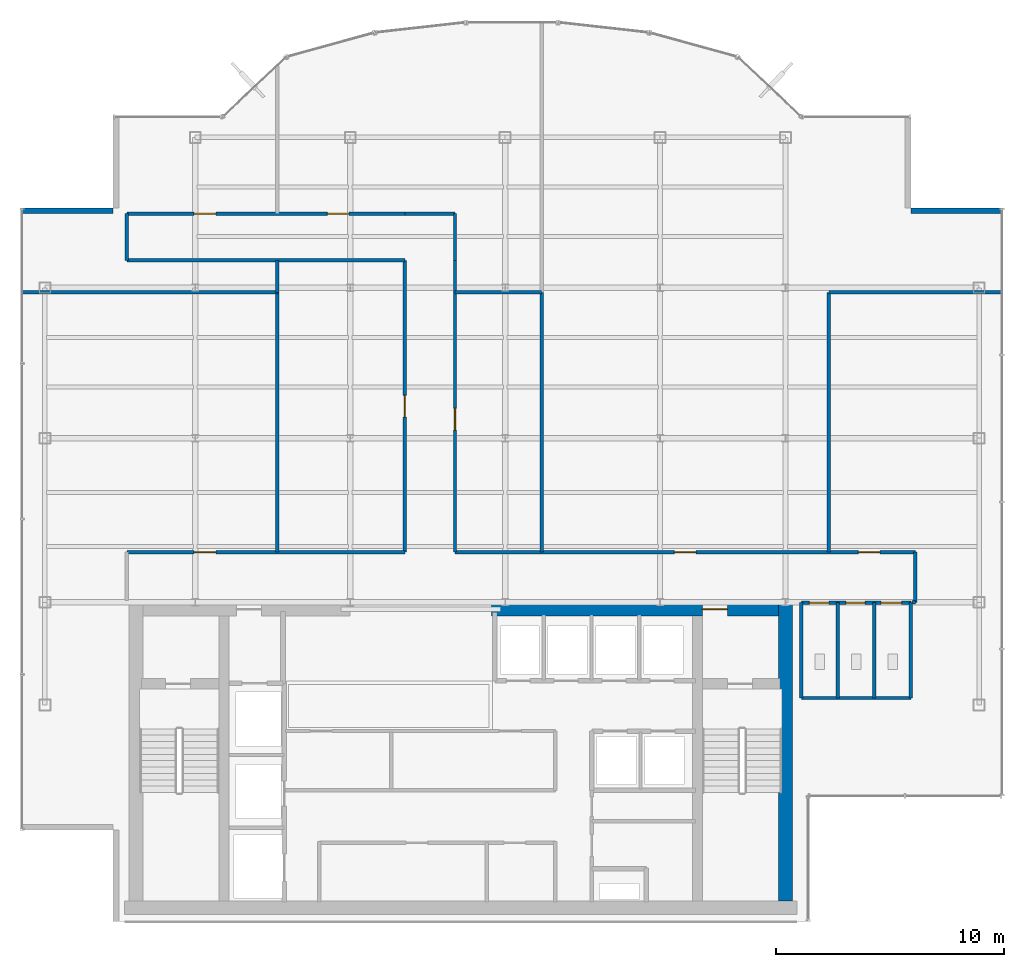
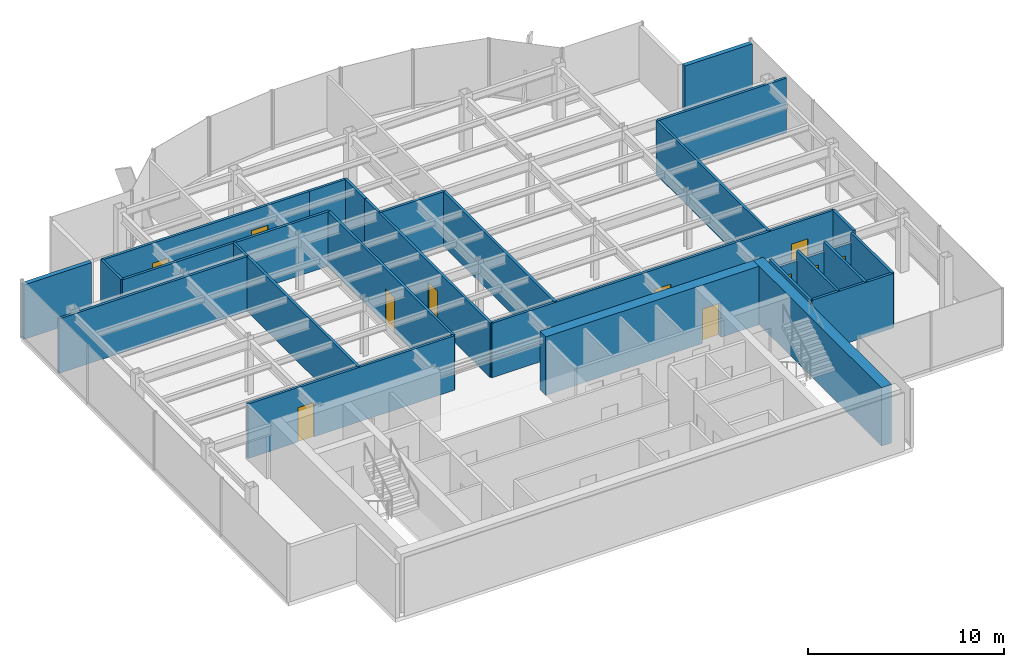
# One storey, part 18 of 22: 28 walls, 11 doors, 11 openings.
"""IFC4 building model written with IfcOpenShell, lengths in metres."""

from ifc_helpers import new_model, si_unit, derived_unit, direction, frame, frame_2d, origin, place, context, subcontext, project, spatial, rectangle, extrude, source, transform, mapped, material, layer, layer_set, type_object, element, fill, save


model = new_model("IFC4")

# Units and contexts
model_context = context("Model", 3, precision=1e-05, world=origin(), true_north=direction((0.0, 1.0)))
body_context = subcontext(model_context, "Body", "Model", "MODEL_VIEW")
ifc_project = project(units=[si_unit("LENGTHUNIT", "METRE"), si_unit("AREAUNIT", "SQUARE_METRE"), si_unit("VOLUMEUNIT", "CUBIC_METRE"), si_unit("PLANEANGLEUNIT", "RADIAN"), si_unit("MASSUNIT", "GRAM", prefix="KILO"), derived_unit("THERMALTRANSMITTANCEUNIT", [(si_unit("POWERUNIT", "WATT"), 1), (si_unit("LENGTHUNIT", "METRE"), -2), (si_unit("THERMODYNAMICTEMPERATUREUNIT", "KELVIN"), -1)])], contexts=[model_context])

# Site, building, storey
site_placement = place(None, origin())
site = spatial("IfcSite", under=ifc_project, at=site_placement, CompositionType="ELEMENT")
building_placement = place(site_placement, origin())
building = spatial("IfcBuilding", under=site, at=building_placement, Name="Skarnbrae Concourse Arena and Tower", CompositionType="ELEMENT")
storey_placement = place(building_placement, frame((0.0, 0.0, 214.14990234375)))
storey = spatial("IfcBuildingStorey", under=building, at=storey_placement, Name="L55", CompositionType="ELEMENT", Elevation=214.14990234375)

# Wall
ifc_material_1 = material(Name="Concrete 50 MPa (C50/60)", Category="concrete")
ifc_layer_1 = layer(ifc_material_1, 0.60009765625)
ifc_layer_set_1 = layer_set([ifc_layer_1], Name="Concrete 50 MPa (C50/60)")
wall_type_1 = type_object("IfcWallType", Name="WALL-CORE-600-C50", PredefinedType="SHEAR", material=ifc_layer_set_1)
shared_shape_1 = source(origin(), body_context, "Body", "SweptSolid", [
    extrude(rectangle(XDim=13.10009765625, YDim=0.60009765625, at=frame_2d((6.550048828125, 0.0))), origin(), (0.0, 0.0, 1.0), 3.650146484375),
])
wall_1_placement = place(storey_placement, frame((33.5, 0.89990234375, 0.0), z_axis=(0.0, 0.0, 1.0), x_axis=(0.0, 1.0, 0.0)))
element("IfcWall", 1, at=wall_1_placement, inside=storey, type_object=wall_type_1, Name="L55 Rear core shear wall CW-E", PredefinedType="SHEAR", context=body_context, shape_type="MappedRepresentation", body=[
    mapped(shared_shape_1, transform((0.0, 0.0, 0.0))),
])

# Wall, opening, door
shared_shape_2 = source(origin(), body_context, "Body", "SweptSolid", [
    extrude(rectangle(XDim=12.599853515625, YDim=0.60009765625, at=frame_2d((6.2998046875, 0.0))), origin(), (0.0, 0.0, 1.0), 3.650146484375),
])
wall_2_placement = place(storey_placement, frame((20.60009765625, 13.699951171875, 0.0), z_axis=(0.0, 0.0, 1.0), x_axis=(1.0, 0.0, 0.0)))
wall_2 = element("IfcWall", 2, at=wall_2_placement, inside=storey, type_object=wall_type_1, Name="L55 Rear core shear wall CW-NE", PredefinedType="SHEAR", context=body_context, shape_type="MappedRepresentation", body=[
    mapped(shared_shape_2, transform((0.0, 0.0, 0.0))),
])
opening_1_placement = place(wall_2_placement, frame((9.25, 0.0, 0.0)))
opening_1 = element("IfcOpeningElement", 3, at=opening_1_placement, cuts=wall_2, Name="Opening DT-03", PredefinedType="OPENING", context=body_context, shape_type="SweptSolid", body=[
    extrude(rectangle(XDim=1.10009765625, YDim=2.14990234375, at=frame_2d((0.550048828125, 1.074951171875))), frame((0.0, 0.31005859375, 0.0), z_axis=(0.0, -1.0, 0.0), x_axis=(1.0, 0.0, 0.0)), (0.0, 0.0, 1.0), 0.6201171875),
])
ifc_material_2 = material(Name="Steel CSA G40.21 350W", Category="steel")
door_type_1 = type_object("IfcDoorType", Name="DOOR-FIRE-1100-90M", OperationType="NOTDEFINED", PredefinedType="DOOR", material=ifc_material_2)
shared_shape_3 = source(origin(), body_context, "Body", "SweptSolid", [
    extrude(rectangle(XDim=1.10009765625, YDim=2.14990234375, at=frame_2d((0.550048828125, 1.074951171875))), frame((0.0, 0.02490234375, 0.0), z_axis=(0.0, -1.0, 0.0), x_axis=(1.0, 0.0, 0.0)), (0.0, 0.0, 1.0), 0.050048828125),
])
door_1_placement = place(opening_1_placement, origin())
door_1 = element("IfcDoor", 4, at=door_1_placement, inside=storey, type_object=door_type_1, Name="D-1675 Stair ST-2 Vestibule Door", OperationType="SINGLE_SWING_LEFT", OverallHeight=2.14990234375, OverallWidth=1.10009765625, PredefinedType="DOOR", context=body_context, shape_type="MappedRepresentation", body=[
    mapped(shared_shape_3, transform((0.0, 0.0, 0.0))),
])
fill(opening_1, door_1)

# Walls
ifc_material_3 = material(Name="Precast concrete 40 MPa (C40/50)", Category="concrete")
ifc_layer_2 = layer(ifc_material_3, 0.25)
ifc_layer_set_2 = layer_set([ifc_layer_2], Name="Precast concrete 40 MPa (C40/50)")
wall_type_2 = type_object("IfcWallType", Name="WALL-EXT-SPANDREL-250", PredefinedType="STANDARD", material=ifc_layer_set_2)
shared_shape_4 = source(origin(), body_context, "Body", "SweptSolid", [
    extrude(rectangle(XDim=4.0, YDim=0.25, at=frame_2d((2.0, 0.0))), origin(), (0.0, 0.0, 1.0), 3.400146484375),
])
for number, where, z_axis, x_axis, name in (
    (5, (43.0, 31.175048828125, 0.0), (0.0, 0.0, 1.0), (-1.0, 0.0, 0.0), "L55 Notched corner insulated return wall 05"),
    (6, (4.0, 31.175048828125, 0.0), (0.0, 0.0, 1.0), (-1.0, 0.0, 0.0), "L55 Notched corner insulated return wall 17"),
):
    element("IfcWall", number, at=place(storey_placement, frame(where, z_axis=z_axis, x_axis=x_axis)), inside=storey, type_object=wall_type_2, Name=name, PredefinedType="STANDARD", context=body_context, shape_type="MappedRepresentation", body=[
        mapped(shared_shape_4, transform((0.0, 0.0, 0.0))),
    ])
ifc_material_4 = material(Name="Gypsum board on cold-formed steel studs", Category="steel")
ifc_layer_3 = layer(ifc_material_4, 0.14990234375)
ifc_layer_set_3 = layer_set([ifc_layer_3], Name="Gypsum board on cold-formed steel studs")
wall_type_3 = type_object("IfcWallType", Name="WALL-PART-150", PredefinedType="PARTITIONING", material=ifc_layer_set_3)
shared_shape_5 = source(origin(), body_context, "Body", "SweptSolid", [
    extrude(rectangle(XDim=4.800048828125, YDim=0.14990234375, at=frame_2d((2.39990234375, 0.0))), origin(), (0.0, 0.0, 1.0), 3.400146484375),
])
wall_3_placement = place(storey_placement, frame((34.199951171875, 9.800048828125, 0.0), z_axis=(0.0, 0.0, 1.0), x_axis=(1.0, 0.0, 0.0)))
element("IfcWall", 7, at=wall_3_placement, inside=storey, type_object=wall_type_3, Name="L55 Interior partition wall W-L55-WC-S", PredefinedType="PARTITIONING", context=body_context, shape_type="MappedRepresentation", body=[
    mapped(shared_shape_5, transform((0.0, 0.0, 0.0))),
])
shared_shape_6 = source(origin(), body_context, "Body", "SweptSolid", [
    extrude(rectangle(XDim=4.179931640625, YDim=0.14990234375, at=frame_2d((2.08984375, 0.0))), origin(), (0.0, 0.0, 1.0), 3.400146484375),
])
for number, where, z_axis, x_axis, name in (
    (8, (39.0, 9.800048828125, 0.0), (0.0, 0.0, 1.0), (0.0, 1.0, 0.0), "L55 Interior partition wall W-L55-WC-E"),
    (9, (34.199951171875, 9.800048828125, 0.0), (0.0, 0.0, 1.0), (0.0, 1.0, 0.0), "L55 Interior partition wall W-L55-WC-W"),
    (10, (35.800048828125, 9.800048828125, 0.0), (0.0, 0.0, 1.0), (0.0, 1.0, 0.0), "L55 Interior partition wall W-L55-WC-D1"),
    (11, (37.39990234375, 9.800048828125, 0.0), (0.0, 0.0, 1.0), (0.0, 1.0, 0.0), "L55 Interior partition wall W-L55-WC-D2"),
):
    element("IfcWall", number, at=place(storey_placement, frame(where, z_axis=z_axis, x_axis=x_axis)), inside=storey, type_object=wall_type_3, Name=name, PredefinedType="PARTITIONING", context=body_context, shape_type="MappedRepresentation", body=[
        mapped(shared_shape_6, transform((0.0, 0.0, 0.0))),
    ])
ifc_layer_4 = layer(ifc_material_4, 0.14990234375)
ifc_layer_set_4 = layer_set([ifc_layer_4], Name="Gypsum board on cold-formed steel studs")
wall_type_4 = type_object("IfcWallType", Name="WALL-PART-150-1HR", PredefinedType="PARTITIONING", material=ifc_layer_set_4)
shared_shape_7 = source(origin(), body_context, "Body", "SweptSolid", [
    extrude(rectangle(XDim=2.050048828125, YDim=0.14990234375, at=frame_2d((1.02490234375, 0.0))), origin(), (0.0, 0.0, 1.0), 3.400146484375),
])
for number, where, z_axis, x_axis, name in (
    (12, (4.60009765625, 29.0, 0.0), (0.0, 0.0, 1.0), (0.0, 1.0, 0.0), "L55 Interior partition wall W-L55-COR-05"),
    (13, (19.0, 31.050048828125, 0.0), (0.0, 0.0, 1.0), (0.0, -1.0, 0.0), "L55 Interior partition wall W-L55-COR-08"),
):
    element("IfcWall", number, at=place(storey_placement, frame(where, z_axis=z_axis, x_axis=x_axis)), inside=storey, type_object=wall_type_4, Name=name, PredefinedType="PARTITIONING", context=body_context, shape_type="MappedRepresentation", body=[
        mapped(shared_shape_7, transform((0.0, 0.0, 0.0))),
    ])
shared_shape_8 = source(origin(), body_context, "Body", "SweptSolid", [
    extrude(rectangle(XDim=2.199951171875, YDim=0.14990234375, at=frame_2d((1.10009765625, 0.0))), origin(), (0.0, 0.0, 1.0), 3.400146484375),
])
for number, where, z_axis, x_axis, name in (
    (14, (16.800048828125, 31.050048828125, 0.0), (0.0, 0.0, 1.0), (1.0, 0.0, 0.0), "L55 Interior partition wall W-L55-COR-07"),
    (15, (39.199951171875, 16.199951171875, 0.0), (0.0, 0.0, 1.0), (0.0, -1.0, 0.0), "L55 Interior partition wall W-L55-COR-11"),
):
    element("IfcWall", number, at=place(storey_placement, frame(where, z_axis=z_axis, x_axis=x_axis)), inside=storey, type_object=wall_type_4, Name=name, PredefinedType="PARTITIONING", context=body_context, shape_type="MappedRepresentation", body=[
        mapped(shared_shape_8, transform((0.0, 0.0, 0.0))),
    ])

# Wall, opening, door
shared_shape_9 = source(origin(), body_context, "Body", "SweptSolid", [
    extrude(rectangle(XDim=12.199951171875, YDim=0.14990234375, at=frame_2d((6.10009765625, 0.0))), origin(), (0.0, 0.0, 1.0), 3.400146484375),
])
wall_4_placement = place(storey_placement, frame((4.60009765625, 16.199951171875, 0.0), z_axis=(0.0, 0.0, 1.0), x_axis=(1.0, 0.0, 0.0)))
wall_4 = element("IfcWall", 16, at=wall_4_placement, inside=storey, type_object=wall_type_4, Name="L55 Interior partition wall W-L55-COR-02", PredefinedType="PARTITIONING", context=body_context, shape_type="MappedRepresentation", body=[
    mapped(shared_shape_9, transform((0.0, 0.0, 0.0))),
])
opening_2_placement = place(wall_4_placement, frame((2.955078125, 0.0, 0.0)))
opening_2 = element("IfcOpeningElement", 17, at=opening_2_placement, cuts=wall_4, Name="Opening DT-04", PredefinedType="OPENING", context=body_context, shape_type="SweptSolid", body=[
    extrude(rectangle(XDim=0.949951171875, YDim=2.14990234375, at=frame_2d((0.47509765625, 1.074951171875))), frame((0.0, 0.0849609375, 0.0), z_axis=(0.0, -1.0, 0.0), x_axis=(1.0, 0.0, 0.0)), (0.0, 0.0, 1.0), 0.169921875),
])
door_type_2 = type_object("IfcDoorType", Name="DOOR-INT-950-45M", OperationType="NOTDEFINED", PredefinedType="DOOR", material=ifc_material_2)
shared_shape_10 = source(origin(), body_context, "Body", "SweptSolid", [
    extrude(rectangle(XDim=0.949951171875, YDim=2.14990234375, at=frame_2d((0.47509765625, 1.074951171875))), frame((0.0, 0.02490234375, 0.0), z_axis=(0.0, -1.0, 0.0), x_axis=(1.0, 0.0, 0.0)), (0.0, 0.0, 1.0), 0.050048828125),
])
door_2_placement = place(opening_2_placement, origin())
door_2 = element("IfcDoor", 18, at=door_2_placement, inside=storey, type_object=door_type_2, Name="D-1694 L55 Suite Door 01", OperationType="SINGLE_SWING_LEFT", OverallHeight=2.14990234375, OverallWidth=0.949951171875, PredefinedType="DOOR", context=body_context, shape_type="MappedRepresentation", body=[
    mapped(shared_shape_10, transform((0.0, 0.0, 0.0))),
])
fill(opening_2, door_2)

# Wall
wall_5_placement = place(storey_placement, frame((16.800048828125, 29.0, 0.0), z_axis=(0.0, 0.0, 1.0), x_axis=(-1.0, 0.0, 0.0)))
element("IfcWall", 19, at=wall_5_placement, inside=storey, type_object=wall_type_4, Name="L55 Interior partition wall W-L55-COR-04", PredefinedType="PARTITIONING", context=body_context, shape_type="MappedRepresentation", body=[
    mapped(shared_shape_9, transform((0.0, 0.0, 0.0))),
])

# Wall, openings, doors
wall_6_placement = place(storey_placement, frame((4.60009765625, 31.050048828125, 0.0), z_axis=(0.0, 0.0, 1.0), x_axis=(1.0, 0.0, 0.0)))
wall_6 = element("IfcWall", 20, at=wall_6_placement, inside=storey, type_object=wall_type_4, Name="L55 Interior partition wall W-L55-COR-06", PredefinedType="PARTITIONING", context=body_context, shape_type="MappedRepresentation", body=[
    mapped(shared_shape_9, transform((0.0, 0.0, 0.0))),
])
opening_3_placement = place(wall_6_placement, frame((2.955078125, 0.0, 0.0)))
opening_3 = element("IfcOpeningElement", 21, at=opening_3_placement, cuts=wall_6, Name="Opening DT-04", PredefinedType="OPENING", context=body_context, shape_type="SweptSolid", body=[
    extrude(rectangle(XDim=0.949951171875, YDim=2.14990234375, at=frame_2d((0.47509765625, 1.074951171875))), frame((0.0, 0.0849609375, 0.0), z_axis=(0.0, -1.0, 0.0), x_axis=(1.0, 0.0, 0.0)), (0.0, 0.0, 1.0), 0.169921875),
])
opening_4_placement = place(wall_6_placement, frame((8.794921875, 0.0, 0.0)))
opening_4 = element("IfcOpeningElement", 22, at=opening_4_placement, cuts=wall_6, Name="Opening DT-04", PredefinedType="OPENING", context=body_context, shape_type="SweptSolid", body=[
    extrude(rectangle(XDim=0.949951171875, YDim=2.14990234375, at=frame_2d((0.47509765625, 1.074951171875))), frame((0.0, 0.0849609375, 0.0), z_axis=(0.0, -1.0, 0.0), x_axis=(1.0, 0.0, 0.0)), (0.0, 0.0, 1.0), 0.169921875),
])
door_3_placement = place(opening_3_placement, origin())
door_3 = element("IfcDoor", 23, at=door_3_placement, inside=storey, type_object=door_type_2, Name="D-1695 L55 Suite Door 02", OperationType="SINGLE_SWING_RIGHT", OverallHeight=2.14990234375, OverallWidth=0.949951171875, PredefinedType="DOOR", context=body_context, shape_type="MappedRepresentation", body=[
    mapped(shared_shape_10, transform((0.0, 0.0, 0.0))),
])
fill(opening_3, door_3)
door_4_placement = place(opening_4_placement, origin())
door_4 = element("IfcDoor", 24, at=door_4_placement, inside=storey, type_object=door_type_2, Name="D-1697 L55 Suite Door 04", OperationType="SINGLE_SWING_RIGHT", OverallHeight=2.14990234375, OverallWidth=0.949951171875, PredefinedType="DOOR", context=body_context, shape_type="MappedRepresentation", body=[
    mapped(shared_shape_10, transform((0.0, 0.0, 0.0))),
])
fill(opening_4, door_4)

shared_shape_11 = source(origin(), body_context, "Body", "SweptSolid", [
    extrude(rectangle(XDim=4.800048828125, YDim=0.14990234375, at=frame_2d((2.39990234375, 0.0))), origin(), (0.0, 0.0, 1.0), 2.787109375),
])
wall_7_placement = place(storey_placement, frame((34.199951171875, 13.97998046875, 0.0), z_axis=(0.0, 0.0, 1.0), x_axis=(1.0, 0.0, 0.0)))
wall_7 = element("IfcWall", 25, at=wall_7_placement, inside=storey, type_object=wall_type_3, Name="L55 Interior partition wall W-L55-WC-N", PredefinedType="PARTITIONING", context=body_context, shape_type="MappedRepresentation", body=[
    mapped(shared_shape_11, transform((0.0, 0.0, 0.0))),
])
opening_5_placement = place(wall_7_placement, frame((0.35009765625, 0.0, 0.0)))
opening_5 = element("IfcOpeningElement", 26, at=opening_5_placement, cuts=wall_7, Name="Opening DT-06", PredefinedType="OPENING", context=body_context, shape_type="SweptSolid", body=[
    extrude(rectangle(XDim=0.85009765625, YDim=2.10009765625, at=frame_2d((0.425048828125, 1.050048828125))), frame((0.0, 0.0849609375, 0.0), z_axis=(0.0, -1.0, 0.0), x_axis=(1.0, 0.0, 0.0)), (0.0, 0.0, 1.0), 0.169921875),
])
opening_6_placement = place(wall_7_placement, frame((1.949951171875, 0.0, 0.0)))
opening_6 = element("IfcOpeningElement", 27, at=opening_6_placement, cuts=wall_7, Name="Opening DT-06", PredefinedType="OPENING", context=body_context, shape_type="SweptSolid", body=[
    extrude(rectangle(XDim=0.85009765625, YDim=2.10009765625, at=frame_2d((0.425048828125, 1.050048828125))), frame((0.0, 0.0849609375, 0.0), z_axis=(0.0, -1.0, 0.0), x_axis=(1.0, 0.0, 0.0)), (0.0, 0.0, 1.0), 0.169921875),
])
opening_7_placement = place(wall_7_placement, frame((3.5, 0.0, 0.0)))
opening_7 = element("IfcOpeningElement", 28, at=opening_7_placement, cuts=wall_7, Name="Opening DT-05", PredefinedType="OPENING", context=body_context, shape_type="SweptSolid", body=[
    extrude(rectangle(XDim=0.89990234375, YDim=2.10009765625, at=frame_2d((0.449951171875, 1.050048828125))), frame((0.0, 0.0849609375, 0.0), z_axis=(0.0, -1.0, 0.0), x_axis=(1.0, 0.0, 0.0)), (0.0, 0.0, 1.0), 0.169921875),
])
ifc_material_5 = material(Name="Architectural oak veneer timber leaf", Category="wood")
door_type_3 = type_object("IfcDoorType", Name="DOOR-INT-850", OperationType="NOTDEFINED", PredefinedType="DOOR", material=ifc_material_5)
shared_shape_12 = source(origin(), body_context, "Body", "SweptSolid", [
    extrude(rectangle(XDim=0.85009765625, YDim=2.10009765625, at=frame_2d((0.425048828125, 1.050048828125))), frame((0.0, 0.02490234375, 0.0), z_axis=(0.0, -1.0, 0.0), x_axis=(1.0, 0.0, 0.0)), (0.0, 0.0, 1.0), 0.050048828125),
])
door_5_placement = place(opening_5_placement, frame((0.85009765625, 0.0, 0.0), z_axis=(0.0, 0.0, 1.0), x_axis=(-1.0, 0.0, 0.0)))
door_5 = element("IfcDoor", 29, at=door_5_placement, inside=storey, type_object=door_type_3, Name="D-1691 Male Washroom Door", OperationType="SINGLE_SWING_LEFT", OverallHeight=2.10009765625, OverallWidth=0.85009765625, PredefinedType="DOOR", context=body_context, shape_type="MappedRepresentation", body=[
    mapped(shared_shape_12, transform((0.0, 0.0, 0.0))),
])
fill(opening_5, door_5)
door_6_placement = place(opening_6_placement, frame((0.85009765625, 0.0, 0.0), z_axis=(0.0, 0.0, 1.0), x_axis=(-1.0, 0.0, 0.0)))
door_6 = element("IfcDoor", 30, at=door_6_placement, inside=storey, type_object=door_type_3, Name="D-1692 Female Washroom Door", OperationType="SINGLE_SWING_RIGHT", OverallHeight=2.10009765625, OverallWidth=0.85009765625, PredefinedType="DOOR", context=body_context, shape_type="MappedRepresentation", body=[
    mapped(shared_shape_12, transform((0.0, 0.0, 0.0))),
])
fill(opening_6, door_6)
door_type_4 = type_object("IfcDoorType", Name="DOOR-INT-900", OperationType="NOTDEFINED", PredefinedType="DOOR", material=ifc_material_5)
shared_shape_13 = source(origin(), body_context, "Body", "SweptSolid", [
    extrude(rectangle(XDim=0.89990234375, YDim=2.10009765625, at=frame_2d((0.449951171875, 1.050048828125))), frame((0.0, 0.02490234375, 0.0), z_axis=(0.0, -1.0, 0.0), x_axis=(1.0, 0.0, 0.0)), (0.0, 0.0, 1.0), 0.050048828125),
])
door_7_placement = place(opening_7_placement, frame((0.89990234375, 0.0, 0.0), z_axis=(0.0, 0.0, 1.0), x_axis=(-1.0, 0.0, 0.0)))
door_7 = element("IfcDoor", 31, at=door_7_placement, inside=storey, type_object=door_type_4, Name="D-1693 Accessible WC Door", OperationType="SINGLE_SWING_LEFT", OverallHeight=2.10009765625, OverallWidth=0.89990234375, PredefinedType="DOOR", context=body_context, shape_type="MappedRepresentation", body=[
    mapped(shared_shape_13, transform((0.0, 0.0, 0.0))),
])
fill(opening_7, door_7)

# Wall
shared_shape_14 = source(origin(), body_context, "Body", "SweptSolid", [
    extrude(rectangle(XDim=0.14990234375, YDim=0.14990234375, at=frame_2d((0.074951171875, 0.0))), origin(), (0.0, 0.0, 1.0), 3.400146484375),
])
wall_8_placement = place(storey_placement, frame((39.199951171875, 14.0, 0.0), z_axis=(0.0, 0.0, 1.0), x_axis=(-1.0, 0.0, 0.0)))
element("IfcWall", 32, at=wall_8_placement, inside=storey, type_object=wall_type_4, Name="L55 Interior partition wall W-L55-COR-12", PredefinedType="PARTITIONING", context=body_context, shape_type="MappedRepresentation", body=[
    mapped(shared_shape_14, transform((0.0, 0.0, 0.0))),
])

# Wall, opening, door
shared_shape_15 = source(origin(), body_context, "Body", "SweptSolid", [
    extrude(rectangle(XDim=12.800048828125, YDim=0.14990234375, at=frame_2d((6.39990234375, 0.0))), origin(), (0.0, 0.0, 1.0), 3.400146484375),
])
wall_9_placement = place(storey_placement, frame((16.800048828125, 16.199951171875, 0.0), z_axis=(0.0, 0.0, 1.0), x_axis=(0.0, 1.0, 0.0)))
wall_9 = element("IfcWall", 33, at=wall_9_placement, inside=storey, type_object=wall_type_4, Name="L55 Interior partition wall W-L55-COR-03", PredefinedType="PARTITIONING", context=body_context, shape_type="MappedRepresentation", body=[
    mapped(shared_shape_15, transform((0.0, 0.0, 0.0))),
])
opening_8_placement = place(wall_9_placement, frame((5.925048828125, 0.0, 0.0)))
opening_8 = element("IfcOpeningElement", 34, at=opening_8_placement, cuts=wall_9, Name="Opening DT-04", PredefinedType="OPENING", context=body_context, shape_type="SweptSolid", body=[
    extrude(rectangle(XDim=0.949951171875, YDim=2.14990234375, at=frame_2d((0.47509765625, 1.074951171875))), frame((0.0, 0.0849609375, 0.0), z_axis=(0.0, -1.0, 0.0), x_axis=(1.0, 0.0, 0.0)), (0.0, 0.0, 1.0), 0.169921875),
])
door_8_placement = place(opening_8_placement, origin())
door_8 = element("IfcDoor", 35, at=door_8_placement, inside=storey, type_object=door_type_2, Name="D-1696 L55 Suite Door 03", OperationType="SINGLE_SWING_LEFT", OverallHeight=2.14990234375, OverallWidth=0.949951171875, PredefinedType="DOOR", context=body_context, shape_type="MappedRepresentation", body=[
    mapped(shared_shape_10, transform((0.0, 0.0, 0.0))),
])
fill(opening_8, door_8)

wall_10_placement = place(storey_placement, frame((19.0, 29.0, 0.0), z_axis=(0.0, 0.0, 1.0), x_axis=(0.0, -1.0, 0.0)))
wall_10 = element("IfcWall", 36, at=wall_10_placement, inside=storey, type_object=wall_type_4, Name="L55 Interior partition wall W-L55-COR-09", PredefinedType="PARTITIONING", context=body_context, shape_type="MappedRepresentation", body=[
    mapped(shared_shape_15, transform((0.0, 0.0, 0.0))),
])
opening_9_placement = place(wall_10_placement, frame((6.4951171875, 0.0, 0.0)))
opening_9 = element("IfcOpeningElement", 37, at=opening_9_placement, cuts=wall_10, Name="Opening DT-04", PredefinedType="OPENING", context=body_context, shape_type="SweptSolid", body=[
    extrude(rectangle(XDim=0.949951171875, YDim=2.14990234375, at=frame_2d((0.47509765625, 1.074951171875))), frame((0.0, 0.0849609375, 0.0), z_axis=(0.0, -1.0, 0.0), x_axis=(1.0, 0.0, 0.0)), (0.0, 0.0, 1.0), 0.169921875),
])
door_9_placement = place(opening_9_placement, origin())
door_9 = element("IfcDoor", 38, at=door_9_placement, inside=storey, type_object=door_type_2, Name="D-1698 L55 Suite Door 05", OperationType="SINGLE_SWING_LEFT", OverallHeight=2.14990234375, OverallWidth=0.949951171875, PredefinedType="DOOR", context=body_context, shape_type="MappedRepresentation", body=[
    mapped(shared_shape_10, transform((0.0, 0.0, 0.0))),
])
fill(opening_9, door_9)

# Wall, openings, doors
shared_shape_16 = source(origin(), body_context, "Body", "SweptSolid", [
    extrude(rectangle(XDim=20.199951171875, YDim=0.14990234375, at=frame_2d((10.10009765625, 0.0))), origin(), (0.0, 0.0, 1.0), 3.400146484375),
])
wall_11_placement = place(storey_placement, frame((19.0, 16.199951171875, 0.0), z_axis=(0.0, 0.0, 1.0), x_axis=(1.0, 0.0, 0.0)))
wall_11 = element("IfcWall", 39, at=wall_11_placement, inside=storey, type_object=wall_type_4, Name="L55 Interior partition wall W-L55-COR-10", PredefinedType="PARTITIONING", context=body_context, shape_type="MappedRepresentation", body=[
    mapped(shared_shape_16, transform((0.0, 0.0, 0.0))),
])
opening_10_placement = place(wall_11_placement, frame((9.625, 0.0, 0.0)))
opening_10 = element("IfcOpeningElement", 40, at=opening_10_placement, cuts=wall_11, Name="Opening DT-04", PredefinedType="OPENING", context=body_context, shape_type="SweptSolid", body=[
    extrude(rectangle(XDim=0.949951171875, YDim=2.14990234375, at=frame_2d((0.47509765625, 1.074951171875))), frame((0.0, 0.0849609375, 0.0), z_axis=(0.0, -1.0, 0.0), x_axis=(1.0, 0.0, 0.0)), (0.0, 0.0, 1.0), 0.169921875),
])
opening_11_placement = place(wall_11_placement, frame((17.695068359375, 0.0, 0.0)))
opening_11 = element("IfcOpeningElement", 41, at=opening_11_placement, cuts=wall_11, Name="Opening DT-04", PredefinedType="OPENING", context=body_context, shape_type="SweptSolid", body=[
    extrude(rectangle(XDim=0.949951171875, YDim=2.14990234375, at=frame_2d((0.47509765625, 1.074951171875))), frame((0.0, 0.0849609375, 0.0), z_axis=(0.0, -1.0, 0.0), x_axis=(1.0, 0.0, 0.0)), (0.0, 0.0, 1.0), 0.169921875),
])
door_10_placement = place(opening_10_placement, origin())
door_10 = element("IfcDoor", 42, at=door_10_placement, inside=storey, type_object=door_type_2, Name="D-1699 L55 Suite Door 06", OperationType="SINGLE_SWING_RIGHT", OverallHeight=2.14990234375, OverallWidth=0.949951171875, PredefinedType="DOOR", context=body_context, shape_type="MappedRepresentation", body=[
    mapped(shared_shape_10, transform((0.0, 0.0, 0.0))),
])
fill(opening_10, door_10)
door_11_placement = place(opening_11_placement, origin())
door_11 = element("IfcDoor", 43, at=door_11_placement, inside=storey, type_object=door_type_2, Name="D-1700 L55 Suite Door 07", OperationType="SINGLE_SWING_LEFT", OverallHeight=2.14990234375, OverallWidth=0.949951171875, PredefinedType="DOOR", context=body_context, shape_type="MappedRepresentation", body=[
    mapped(shared_shape_10, transform((0.0, 0.0, 0.0))),
])
fill(opening_11, door_11)

# Walls
shared_shape_17 = source(origin(), body_context, "Body", "SweptSolid", [
    extrude(rectangle(XDim=11.179931640625, YDim=0.14990234375, at=frame_2d((5.58984375, 0.0))), origin(), (0.0, 0.0, 1.0), 3.400146484375),
])
wall_12_placement = place(storey_placement, frame((0.02001953125, 27.60009765625, 0.0), z_axis=(0.0, 0.0, 1.0), x_axis=(1.0, 0.0, 0.0)))
element("IfcWall", 44, at=wall_12_placement, inside=storey, type_object=wall_type_3, Name="L55 Interior partition wall W-L55-DEM-13", PredefinedType="PARTITIONING", context=body_context, shape_type="MappedRepresentation", body=[
    mapped(shared_shape_17, transform((0.0, 0.0, 0.0))),
])
shared_shape_18 = source(origin(), body_context, "Body", "SweptSolid", [
    extrude(rectangle(XDim=11.400146484375, YDim=0.14990234375, at=frame_2d((5.7001953125, 0.0))), origin(), (0.0, 0.0, 1.0), 3.400146484375),
])
for number, where, z_axis, x_axis, name in (
    (45, (11.199951171875, 27.60009765625, 0.0), (0.0, 0.0, 1.0), (0.0, -1.0, 0.0), "L55 Interior partition wall W-L55-DEM-14"),
    (46, (22.800048828125, 27.60009765625, 0.0), (0.0, 0.0, 1.0), (0.0, -1.0, 0.0), "L55 Interior partition wall W-L55-DEM-18"),
    (47, (35.39990234375, 27.60009765625, 0.0), (0.0, 0.0, 1.0), (0.0, -1.0, 0.0), "L55 Interior partition wall W-L55-DEM-21"),
):
    element("IfcWall", number, at=place(storey_placement, frame(where, z_axis=z_axis, x_axis=x_axis)), inside=storey, type_object=wall_type_3, Name=name, PredefinedType="PARTITIONING", context=body_context, shape_type="MappedRepresentation", body=[
        mapped(shared_shape_18, transform((0.0, 0.0, 0.0))),
    ])
shared_shape_19 = source(origin(), body_context, "Body", "SweptSolid", [
    extrude(rectangle(XDim=1.39990234375, YDim=0.14990234375, at=frame_2d((0.699951171875, 0.0))), origin(), (0.0, 0.0, 1.0), 3.400146484375),
])
wall_13_placement = place(storey_placement, frame((11.199951171875, 29.0, 0.0), z_axis=(0.0, 0.0, 1.0), x_axis=(0.0, -1.0, 0.0)))
element("IfcWall", 48, at=wall_13_placement, inside=storey, type_object=wall_type_3, Name="L55 Interior partition wall W-L55-DEM-15", PredefinedType="PARTITIONING", context=body_context, shape_type="MappedRepresentation", body=[
    mapped(shared_shape_19, transform((0.0, 0.0, 0.0))),
])
shared_shape_20 = source(origin(), body_context, "Body", "SweptSolid", [
    extrude(rectangle(XDim=3.800048828125, YDim=0.14990234375, at=frame_2d((1.89990234375, 0.0))), origin(), (0.0, 0.0, 1.0), 3.400146484375),
])
wall_14_placement = place(storey_placement, frame((22.800048828125, 27.60009765625, 0.0), z_axis=(0.0, 0.0, 1.0), x_axis=(-1.0, 0.0, 0.0)))
element("IfcWall", 49, at=wall_14_placement, inside=storey, type_object=wall_type_3, Name="L55 Interior partition wall W-L55-DEM-17", PredefinedType="PARTITIONING", context=body_context, shape_type="MappedRepresentation", body=[
    mapped(shared_shape_20, transform((0.0, 0.0, 0.0))),
])
shared_shape_21 = source(origin(), body_context, "Body", "SweptSolid", [
    extrude(rectangle(XDim=7.580078125, YDim=0.14990234375, at=frame_2d((3.7900390625, 0.0))), origin(), (0.0, 0.0, 1.0), 3.400146484375),
])
wall_15_placement = place(storey_placement, frame((42.97998046875, 27.60009765625, 0.0), z_axis=(0.0, 0.0, 1.0), x_axis=(-1.0, 0.0, 0.0)))
element("IfcWall", 50, at=wall_15_placement, inside=storey, type_object=wall_type_3, Name="L55 Interior partition wall W-L55-DEM-20", PredefinedType="PARTITIONING", context=body_context, shape_type="MappedRepresentation", body=[
    mapped(shared_shape_21, transform((0.0, 0.0, 0.0))),
])

save(model, "model.ifc")
